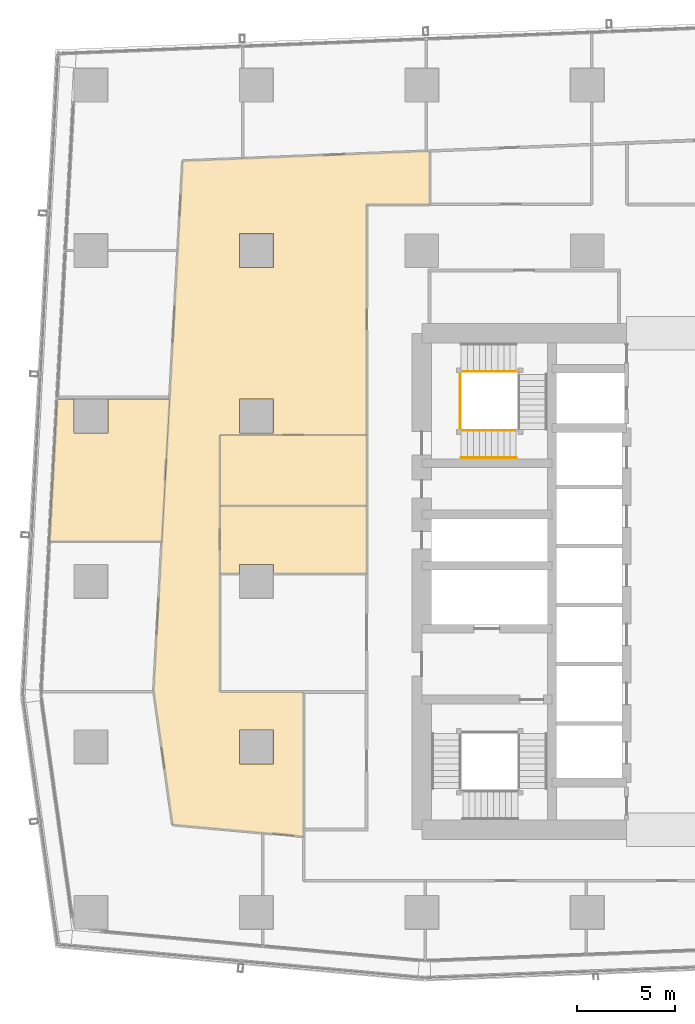
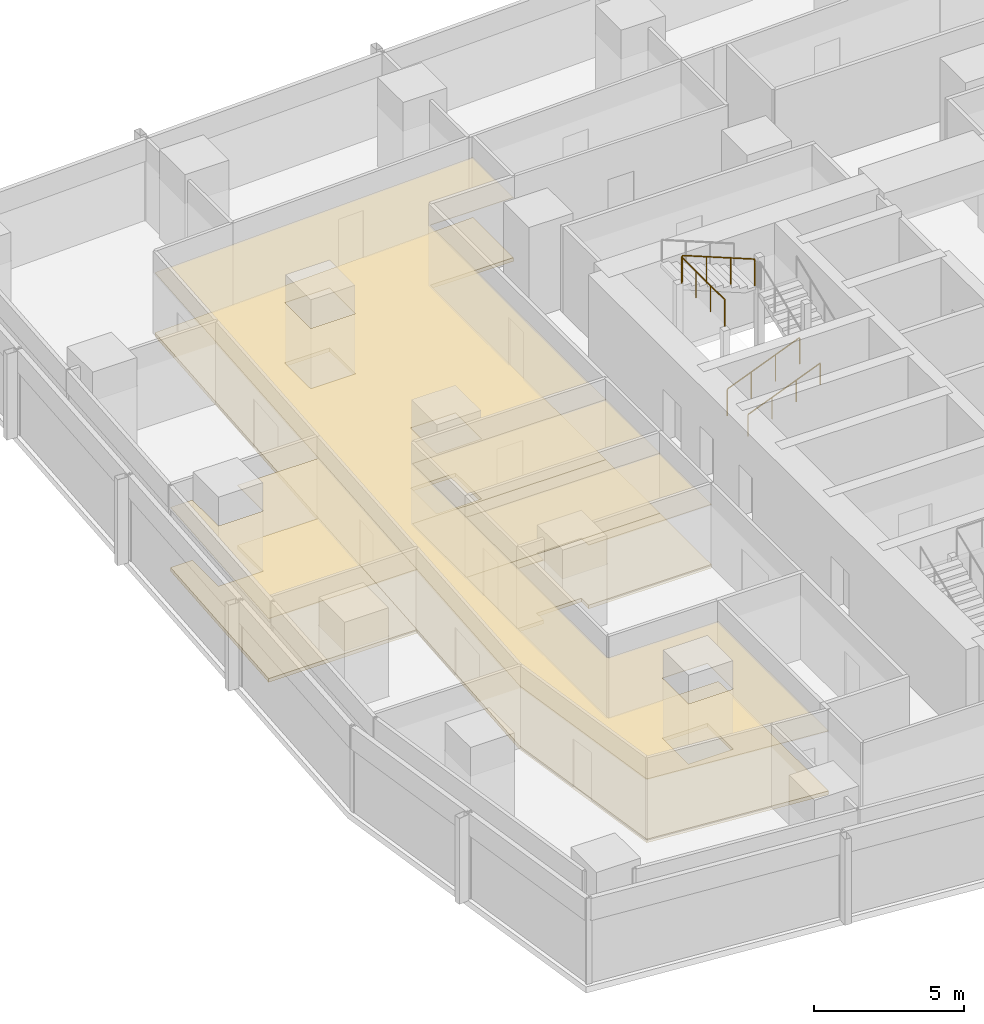
# One storey, part 35 of 40: 8 coverings, 4 railings.
"""IFC4 building model written with IfcOpenShell, lengths in metres."""

from ifc_helpers import new_model, si_unit, direction, frame, origin, origin_2d, place, context, subcontext, project, spatial, polyline, circle, outline, extrude, material, layer, layer_set, type_object, element, save


model = new_model("IFC4")

# Units and contexts
model_context = context("Model", 3, precision=1e-05, world=origin(), true_north=direction((0.0, 1.0)))
body_context = subcontext(model_context, "Body", "Model", "MODEL_VIEW")
ifc_project = project(units=[si_unit("LENGTHUNIT", "METRE"), si_unit("AREAUNIT", "SQUARE_METRE"), si_unit("VOLUMEUNIT", "CUBIC_METRE"), si_unit("PLANEANGLEUNIT", "RADIAN"), si_unit("MASSUNIT", "GRAM", prefix="KILO")], contexts=[model_context])

# Site, building, storey
site_placement = place(None, origin())
site = spatial("IfcSite", under=ifc_project, at=site_placement, CompositionType="ELEMENT")
building_placement = place(site_placement, origin())
building = spatial("IfcBuilding", under=site, at=building_placement, Name="Rekha Terrace Tower", CompositionType="ELEMENT")
storey_placement = place(building_placement, frame((0.0, 0.0, 140.300048828125)))
storey = spatial("IfcBuildingStorey", under=building, at=storey_placement, Name="L35", CompositionType="ELEMENT", Elevation=140.300048828125)

# Coverings
ifc_material_1 = material(Name="Mineral fibre tile in exposed grid", Category="finish")
ifc_layer_1 = layer(ifc_material_1, 0.02001953125)
ifc_layer_set_1 = layer_set([ifc_layer_1], Name="Mineral fibre tile in exposed grid")
covering_type_1 = type_object("IfcCoveringType", Name="CL1 600x1200 office grid ceiling", PredefinedType="CEILING", material=ifc_layer_set_1)
covering_1_placement = place(storey_placement, frame((0.0, 0.0, 2.579833984375)))
element("IfcCovering", 1, at=covering_1_placement, inside=storey, type_object=covering_type_1, Name="Ceiling L35-17", PredefinedType="CEILING", context=body_context, shape_type="SweptSolid", body=[
    extrude(outline(polyline([(9.264892578125, 41.135009765625), (7.534912109375, 41.135009765625), (7.534912109375, 42.8720703125), (6.68994140625, 42.8720703125), (6.29296875, 35.635009765625), (12.0009765625, 35.635009765625), (12.39794921875, 42.8720703125), (9.264892578125, 42.8720703125), (9.264892578125, 41.135009765625)])), origin(), (0.0, 0.0, 1.0), 0.02001953125),
])
covering_2_placement = place(storey_placement, frame((0.0, 0.0, 2.579833984375)))
element("IfcCovering", 2, at=covering_2_placement, inside=storey, type_object=covering_type_1, Name="Ceiling L35-23", PredefinedType="CEILING", context=body_context, shape_type="SweptSolid", body=[
    extrude(outline(polyline([(22.39990234375, 37.43701171875), (14.949951171875, 37.43701171875), (14.949951171875, 34.0), (15.93505859375, 34.0), (15.93505859375, 34.465087890625), (17.6650390625, 34.465087890625), (17.6650390625, 34.0), (22.39990234375, 34.0), (22.39990234375, 37.43701171875)])), origin(), (0.0, 0.0, 1.0), 0.02001953125),
])
covering_3_placement = place(storey_placement, frame((0.0, 0.0, 2.579833984375)))
element("IfcCovering", 3, at=covering_3_placement, inside=storey, type_object=covering_type_1, Name="Ceiling L35-24", PredefinedType="CEILING", context=body_context, shape_type="SweptSolid", body=[
    extrude(outline(polyline([(22.39990234375, 41.037109375), (14.949951171875, 41.037109375), (14.949951171875, 37.43701171875), (22.39990234375, 37.43701171875), (22.39990234375, 41.037109375)])), origin(), (0.0, 0.0, 1.0), 0.02001953125),
])
covering_4_placement = place(storey_placement, frame((0.0, 0.0, 2.579833984375)))
element("IfcCovering", 4, at=covering_4_placement, inside=storey, type_object=covering_type_1, Name="Ceiling L35-O2", PredefinedType="CEILING", context=body_context, shape_type="SweptSolid", body=[
    extrude(outline(polyline([(11.5859375, 28.056884765625), (11.593994140625, 28.0), (12.5458984375, 21.248046875), (17.135009765625, 20.8310546875), (19.199951171875, 20.64404296875), (19.199951171875, 28.0), (14.949951171875, 28.0), (14.949951171875, 41.037109375), (22.39990234375, 41.037109375), (22.39990234375, 52.75), (25.60009765625, 52.75), (25.60009765625, 55.45703125), (25.39794921875, 55.447998046875), (16.0859375, 55.074951171875), (13.06103515625, 54.9541015625), (12.81103515625, 50.402099609375), (12.39794921875, 42.8720703125), (12.0009765625, 35.634033203125), (11.5859375, 28.056884765625)]), holes=[polyline([(17.6650390625, 26.06494140625), (17.6650390625, 24.3349609375), (15.93505859375, 24.3349609375), (15.93505859375, 26.06494140625), (17.6650390625, 26.06494140625)]), polyline([(17.6650390625, 41.135009765625), (15.93505859375, 41.135009765625), (15.93505859375, 42.864990234375), (17.6650390625, 42.864990234375), (17.6650390625, 41.135009765625)]), polyline([(17.6650390625, 49.534912109375), (15.93505859375, 49.534912109375), (15.93505859375, 51.264892578125), (17.6650390625, 51.264892578125), (17.6650390625, 49.534912109375)])]), origin(), (0.0, 0.0, 1.0), 0.02001953125),
])

# Railings
ifc_material_2 = material(Name="Stainless steel balustrade", Category="steel")
railing_type_1 = type_object("IfcRailingType", Name="GR1 1100 stair guard", PredefinedType="GUARDRAIL", material=ifc_material_2)
railing_1_placement = place(storey_placement, frame((27.199951171875, 41.264892578125, 0.125)))
element("IfcRailing", 5, at=railing_1_placement, inside=storey, type_object=railing_type_1, Name="Guard ST4 L35 flight 1", PredefinedType="GUARDRAIL", context=body_context, shape_type="SweptSolid", body=[
    extrude(circle(Radius=0.02392578125, at=origin_2d()), frame((0.0, 0.0, 1.076171875), z_axis=(0.927443287984, 0.0, 0.373963831907), x_axis=(0.0, 1.0, 0.0)), (0.0, 0.0, 1.0), 3.00830078125),
    extrude(circle(Radius=0.02099609375, at=origin_2d()), origin(), (0.0, 0.0, 1.0), 1.052001953125),
    extrude(circle(Radius=0.02099609375, at=origin_2d()), frame((0.929931640625, 0.0, 0.375)), (0.0, 0.0, 1.0), 1.052001953125),
    extrude(circle(Radius=0.02099609375, at=origin_2d()), frame((1.860107421875, 0.0, 0.75)), (0.0, 0.0, 1.0), 1.052001953125),
    extrude(circle(Radius=0.02099609375, at=origin_2d()), frame((2.7900390625, 0.0, 1.125)), (0.0, 0.0, 1.0), 1.052001953125),
])
railing_2_placement = place(storey_placement, frame((29.989990234375, 44.260009765625, 2.625)))
element("IfcRailing", 6, at=railing_2_placement, inside=storey, type_object=railing_type_1, Name="Guard ST4 L35 flight 3", PredefinedType="GUARDRAIL", context=body_context, shape_type="SweptSolid", body=[
    extrude(circle(Radius=0.02392578125, at=origin_2d()), frame((0.0, 0.0, 1.076171875), z_axis=(-0.927443287984, 0.0, 0.373963831907), x_axis=(0.0, -1.0, 0.0)), (0.0, 0.0, 1.0), 3.00830078125),
    extrude(circle(Radius=0.02099609375, at=origin_2d()), origin(), (0.0, 0.0, 1.0), 1.052001953125),
    extrude(circle(Radius=0.02099609375, at=origin_2d()), frame((-0.929931640625, 0.0, 0.375)), (0.0, 0.0, 1.0), 1.052001953125),
    extrude(circle(Radius=0.02099609375, at=origin_2d()), frame((-1.860107421875, 0.0, 0.75)), (0.0, 0.0, 1.0), 1.052001953125),
    extrude(circle(Radius=0.02099609375, at=origin_2d()), frame((-2.7900390625, 0.0, 1.125)), (0.0, 0.0, 1.0), 1.052001953125),
])
railing_3_placement = place(storey_placement, frame((27.139892578125, 41.324951171875, 3.75)))
element("IfcRailing", 7, at=railing_3_placement, inside=storey, type_object=railing_type_1, Name="Guard ST4 L35 landing 4", PredefinedType="GUARDRAIL", context=body_context, shape_type="SweptSolid", body=[
    extrude(circle(Radius=0.02392578125, at=origin_2d()), frame((0.0, 0.0, 1.076171875), z_axis=(0.0, 1.0, 0.0), x_axis=(-1.0, 0.0, 0.0)), (0.0, 0.0, 1.0), 2.875),
    extrude(circle(Radius=0.02099609375, at=origin_2d()), origin(), (0.0, 0.0, 1.0), 1.052001953125),
    extrude(circle(Radius=0.02099609375, at=origin_2d()), frame((0.0, 0.958251953125, 0.0)), (0.0, 0.0, 1.0), 1.052001953125),
    extrude(circle(Radius=0.02099609375, at=origin_2d()), frame((0.0, 1.916748046875, 0.0)), (0.0, 0.0, 1.0), 1.052001953125),
    extrude(circle(Radius=0.02099609375, at=origin_2d()), frame((0.0, 2.875, 0.0)), (0.0, 0.0, 1.0), 1.052001953125),
])
ifc_material_3 = material(Name="Stainless steel tube", Category="steel")
railing_type_2 = type_object("IfcRailingType", Name="HR1 900 stair handrail", PredefinedType="HANDRAIL", material=ifc_material_3)
railing_4_placement = place(storey_placement, frame((27.199951171875, 39.885009765625, 0.125)))
element("IfcRailing", 8, at=railing_4_placement, inside=storey, type_object=railing_type_2, Name="Handrail ST4 L35 flight 1", PredefinedType="HANDRAIL", context=body_context, shape_type="SweptSolid", body=[
    extrude(circle(Radius=0.02392578125, at=origin_2d()), frame((0.0, 0.0, 0.8759765625), z_axis=(0.927443287984, 0.0, 0.373963831907), x_axis=(0.0, 1.0, 0.0)), (0.0, 0.0, 1.0), 3.00830078125),
    extrude(circle(Radius=0.02099609375, at=origin_2d()), origin(), (0.0, 0.0, 1.0), 0.851806640625),
    extrude(circle(Radius=0.02099609375, at=origin_2d()), frame((0.929931640625, 0.0, 0.375)), (0.0, 0.0, 1.0), 0.851806640625),
    extrude(circle(Radius=0.02099609375, at=origin_2d()), frame((1.860107421875, 0.0, 0.75)), (0.0, 0.0, 1.0), 0.851806640625),
    extrude(circle(Radius=0.02099609375, at=origin_2d()), frame((2.7900390625, 0.0, 1.125)), (0.0, 0.0, 1.0), 0.851806640625),
])

# Coverings
ifc_material_4 = material(Name="Calcium sulphate panels on steel pedestals", Category="steel")
ifc_layer_2 = layer(ifc_material_4, 0.14990234375)
ifc_layer_set_2 = layer_set([ifc_layer_2], Name="Calcium sulphate panels on steel pedestals")
covering_type_2 = type_object("IfcCoveringType", Name="RF1 150 raised access floor", PredefinedType="FLOORING", material=ifc_layer_set_2)
covering_5_placement = place(storey_placement, origin())
element("IfcCovering", 9, at=covering_5_placement, inside=storey, type_object=covering_type_2, Name="Raised floor L35-17", PredefinedType="FLOORING", context=body_context, shape_type="SweptSolid", body=[
    extrude(outline(polyline([(9.264892578125, 41.135009765625), (7.534912109375, 41.135009765625), (7.534912109375, 42.8720703125), (6.68994140625, 42.8720703125), (6.29296875, 35.635009765625), (12.0009765625, 35.635009765625), (12.39794921875, 42.8720703125), (9.264892578125, 42.8720703125), (9.264892578125, 41.135009765625)])), origin(), (0.0, 0.0, 1.0), 0.14990234375),
])
covering_6_placement = place(storey_placement, origin())
element("IfcCovering", 10, at=covering_6_placement, inside=storey, type_object=covering_type_2, Name="Raised floor L35-23", PredefinedType="FLOORING", context=body_context, shape_type="SweptSolid", body=[
    extrude(outline(polyline([(22.39990234375, 37.43701171875), (14.949951171875, 37.43701171875), (14.949951171875, 34.0), (15.93505859375, 34.0), (15.93505859375, 34.465087890625), (17.6650390625, 34.465087890625), (17.6650390625, 34.0), (22.39990234375, 34.0), (22.39990234375, 37.43701171875)])), origin(), (0.0, 0.0, 1.0), 0.14990234375),
])
covering_7_placement = place(storey_placement, origin())
element("IfcCovering", 11, at=covering_7_placement, inside=storey, type_object=covering_type_2, Name="Raised floor L35-24", PredefinedType="FLOORING", context=body_context, shape_type="SweptSolid", body=[
    extrude(outline(polyline([(22.39990234375, 41.037109375), (14.949951171875, 41.037109375), (14.949951171875, 37.43701171875), (22.39990234375, 37.43701171875), (22.39990234375, 41.037109375)])), origin(), (0.0, 0.0, 1.0), 0.14990234375),
])
covering_8_placement = place(storey_placement, origin())
element("IfcCovering", 12, at=covering_8_placement, inside=storey, type_object=covering_type_2, Name="Raised floor L35-O2", PredefinedType="FLOORING", context=body_context, shape_type="SweptSolid", body=[
    extrude(outline(polyline([(11.5859375, 28.056884765625), (11.593994140625, 28.0), (12.5458984375, 21.248046875), (17.135009765625, 20.8310546875), (19.199951171875, 20.64404296875), (19.199951171875, 28.0), (14.949951171875, 28.0), (14.949951171875, 41.037109375), (22.39990234375, 41.037109375), (22.39990234375, 52.75), (25.60009765625, 52.75), (25.60009765625, 55.45703125), (25.39794921875, 55.447998046875), (16.0859375, 55.074951171875), (13.06103515625, 54.9541015625), (12.81103515625, 50.402099609375), (12.39794921875, 42.8720703125), (12.0009765625, 35.634033203125), (11.5859375, 28.056884765625)]), holes=[polyline([(17.6650390625, 26.06494140625), (17.6650390625, 24.3349609375), (15.93505859375, 24.3349609375), (15.93505859375, 26.06494140625), (17.6650390625, 26.06494140625)]), polyline([(17.6650390625, 41.135009765625), (15.93505859375, 41.135009765625), (15.93505859375, 42.864990234375), (17.6650390625, 42.864990234375), (17.6650390625, 41.135009765625)]), polyline([(17.6650390625, 49.534912109375), (15.93505859375, 49.534912109375), (15.93505859375, 51.264892578125), (17.6650390625, 51.264892578125), (17.6650390625, 49.534912109375)])]), origin(), (0.0, 0.0, 1.0), 0.14990234375),
])

save(model, "model.ifc")
